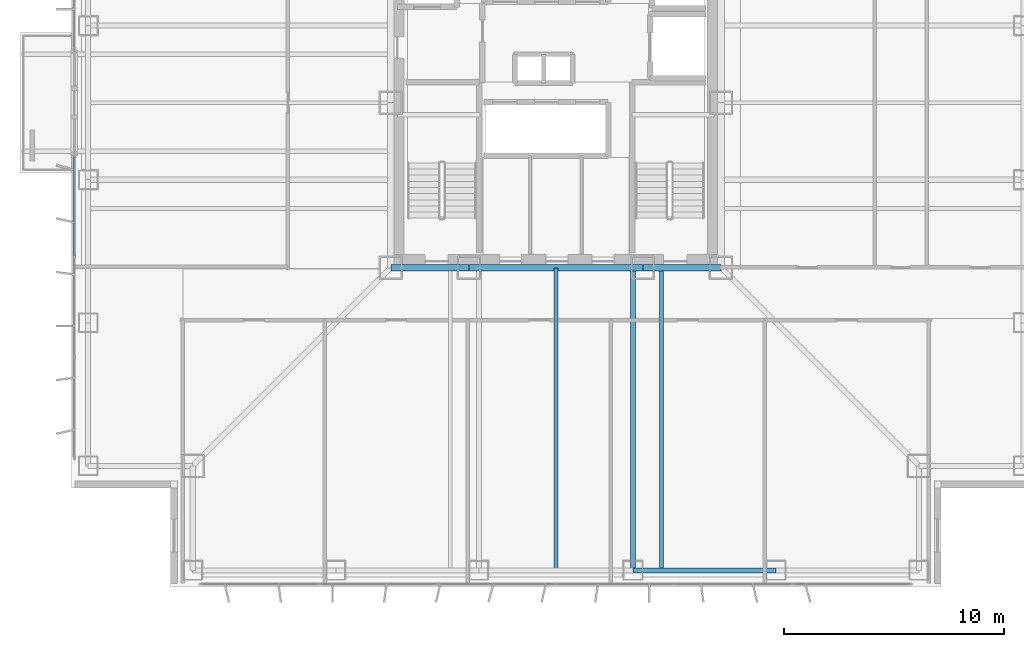
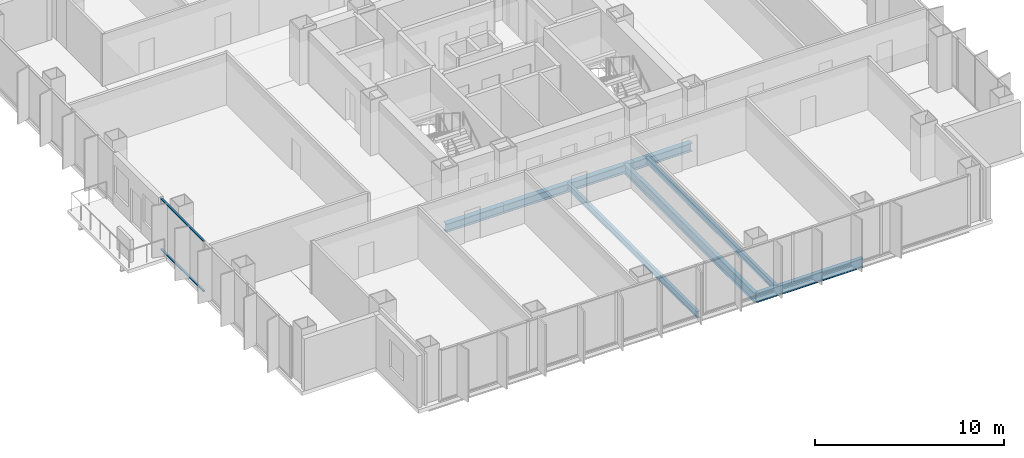
# One storey, part 3 of 15: 7 beams, 2 members, 1 element without a shape of its own.
"""IFC4 building model written with IfcOpenShell, lengths in metres."""

from ifc_helpers import new_model, si_unit, direction, frame, origin, origin_2d, place, context, subcontext, project, spatial, rectangle, i_section, extrude, material, layer, layer_set, material_profile, profile_set, type_object, element, aggregate, save


model = new_model("IFC4")

# Units and contexts
model_context = context("Model", 3, precision=1e-05, world=origin(), true_north=direction((0.0, 1.0)))
body_context = subcontext(model_context, "Body", "Model", "MODEL_VIEW")
ifc_project = project(units=[si_unit("LENGTHUNIT", "METRE"), si_unit("AREAUNIT", "SQUARE_METRE"), si_unit("VOLUMEUNIT", "CUBIC_METRE"), si_unit("PLANEANGLEUNIT", "RADIAN"), si_unit("MASSUNIT", "GRAM", prefix="KILO")], contexts=[model_context])

# Site, building, storey
site_placement = place(None, origin())
site = spatial("IfcSite", under=ifc_project, at=site_placement, CompositionType="ELEMENT")
building_placement = place(site_placement, origin())
building = spatial("IfcBuilding", under=site, at=building_placement, Name="Trevonay Congress Spire", CompositionType="ELEMENT")
storey_placement = place(building_placement, frame((0.0, 0.0, 115.60009765625)))
storey = spatial("IfcBuildingStorey", under=building, at=storey_placement, Name="L29", CompositionType="ELEMENT", Elevation=115.60009765625)

# Beams
ifc_material_1 = material(Name="Steel ASTM A572 Grade 50", Category="steel")
ifc_material_profile_1 = material_profile(ifc_material_1, i_section(OverallWidth=0.31201171875, OverallDepth=0.54296875, WebThickness=0.0126953125, FlangeThickness=0.020263671875, FilletRadius=0.014892578125, at=origin_2d()), Name="W530x150")
ifc_profile_set_1 = profile_set([ifc_material_profile_1], Name="Steel ASTM A572 Grade 50")
beam_type_1 = type_object("IfcBeamType", Name="BM-GIRD-W530X150", PredefinedType="BEAM", material=ifc_profile_set_1)
beam_1_placement = place(storey_placement, frame((-7.5, -7.5, -0.51171875), z_axis=(1.0, 0.0, 0.0), x_axis=(0.0, 1.0, 0.0)))
element("IfcBeam", 1, at=beam_1_placement, inside=storey, type_object=beam_type_1, Name="L29 structural beam BM-L29-CR-S1", PredefinedType="BEAM", context=body_context, shape_type="SweptSolid", body=[
    extrude(i_section(OverallWidth=0.31201171875, OverallDepth=0.54296875, WebThickness=0.0126953125, FlangeThickness=0.020263671875, FilletRadius=0.014892578125, at=origin_2d()), origin(), (0.0, 0.0, 1.0), 3.550048828125),
])
beam_2_placement = place(storey_placement, frame((-3.949951171875, -7.5, -0.51171875), z_axis=(1.0, 0.0, 0.0), x_axis=(0.0, 1.0, 0.0)))
element("IfcBeam", 2, at=beam_2_placement, inside=storey, type_object=beam_type_1, Name="L29 structural beam BM-L29-CR-S2", PredefinedType="BEAM", context=body_context, shape_type="SweptSolid", body=[
    extrude(i_section(OverallWidth=0.31201171875, OverallDepth=0.54296875, WebThickness=0.0126953125, FlangeThickness=0.020263671875, FilletRadius=0.014892578125, at=origin_2d()), origin(), (0.0, 0.0, 1.0), 7.89990234375),
])
beam_3_placement = place(storey_placement, frame((3.949951171875, -7.5, -0.51171875), z_axis=(1.0, 0.0, 0.0), x_axis=(0.0, 1.0, 0.0)))
element("IfcBeam", 3, at=beam_3_placement, inside=storey, type_object=beam_type_1, Name="L29 structural beam BM-L29-CR-S3", PredefinedType="BEAM", context=body_context, shape_type="SweptSolid", body=[
    extrude(i_section(OverallWidth=0.31201171875, OverallDepth=0.54296875, WebThickness=0.0126953125, FlangeThickness=0.020263671875, FilletRadius=0.014892578125, at=origin_2d()), origin(), (0.0, 0.0, 1.0), 3.550048828125),
])
ifc_material_profile_2 = material_profile(ifc_material_1, i_section(OverallWidth=0.22998046875, OverallDepth=0.616943359375, WebThickness=0.01318359375, FlangeThickness=0.022216796875, FilletRadius=0.01611328125, at=origin_2d()), Name="W610x140")
ifc_profile_set_2 = profile_set([ifc_material_profile_2], Name="Steel ASTM A572 Grade 50")
beam_type_2 = type_object("IfcBeamType", Name="BM-GIRD-W610X140", PredefinedType="BEAM", material=ifc_profile_set_2)
beam_4_placement = place(storey_placement, frame((3.5, -7.5, -0.548583984375), z_axis=(0.0, -1.0, 0.0), x_axis=(1.0, 0.0, 0.0)))
element("IfcBeam", 4, at=beam_4_placement, inside=storey, type_object=beam_type_2, Name="L29 structural beam BM-L29-GS-P", PredefinedType="BEAM", context=body_context, shape_type="SweptSolid", body=[
    extrude(i_section(OverallWidth=0.22998046875, OverallDepth=0.616943359375, WebThickness=0.01318359375, FlangeThickness=0.022216796875, FilletRadius=0.01611328125, at=origin_2d()), origin(), (0.0, 0.0, 1.0), 13.75),
])
ifc_material_profile_3 = material_profile(ifc_material_1, i_section(OverallWidth=0.22802734375, OverallDepth=0.60791015625, WebThickness=0.01123046875, FlangeThickness=0.017333984375, FilletRadius=0.01611328125, at=origin_2d()), Name="W610x113")
ifc_profile_set_3 = profile_set([ifc_material_profile_3], Name="Steel ASTM A572 Grade 50")
beam_type_3 = type_object("IfcBeamType", Name="BM-RING-W610X113", PredefinedType="BEAM", material=ifc_profile_set_3)
beam_5_placement = place(storey_placement, frame((3.5, -21.25, -0.544189453125), z_axis=(1.0, 0.0, 0.0), x_axis=(0.0, 1.0, 0.0)))
element("IfcBeam", 5, at=beam_5_placement, inside=storey, type_object=beam_type_3, Name="L29 structural beam BM-L29-PS4", PredefinedType="BEAM", context=body_context, shape_type="SweptSolid", body=[
    extrude(i_section(OverallWidth=0.22802734375, OverallDepth=0.60791015625, WebThickness=0.01123046875, FlangeThickness=0.017333984375, FilletRadius=0.01611328125, at=origin_2d()), origin(), (0.0, 0.0, 1.0), 6.5),
])

# Curtain wall, members
ifc_material_2 = material(Name="Pale Anodised Aluminium EN AW-6063-T6", Category="aluminium")
ifc_layer = layer(ifc_material_2, 0.175048828125, Name="Pale Anodised Aluminium EN AW-6063-T6")
ifc_layer_set = layer_set([ifc_layer], Name="Pale Anodised Aluminium EN AW-6063-T6")
curtain_wall_type = type_object("IfcCurtainWallType", Name="CW-SYS03-CONGRESS-PALE-METAL", PredefinedType="NOTDEFINED", material=ifc_layer_set)
curtain_wall_placement = place(storey_placement, origin())
curtain_wall = element("IfcCurtainWall", 6, at=curtain_wall_placement, inside=storey, type_object=curtain_wall_type, Name="L29 WA unitised curtain wall", PredefinedType="NOTDEFINED")
ifc_material_profile_4 = material_profile(ifc_material_2, rectangle(XDim=0.1201171875, YDim=0.06005859375, at=origin_2d()), Name="CW-TRANSOM-120-ALUMINIUM")
ifc_profile_set_4 = profile_set([ifc_material_profile_4], Name="Pale Anodised Aluminium EN AW-6063-T6")
member_type = type_object("IfcMemberType", Name="CW-TRANSOM-120-ALUMINIUM", PredefinedType="USERDEFINED", material=ifc_profile_set_4)
member_1_placement = place(storey_placement, frame((-21.8798828125, -6.953369140625, 0.059814453125), z_axis=(0.0, 1.0, 0.0), x_axis=(-1.0, 0.0, 0.0)))
member_1 = element("IfcMember", 7, at=member_1_placement, type_object=member_type, Name="CW03 transom 3.1", ObjectType="TRANSOM", PredefinedType="USERDEFINED", context=body_context, shape_type="SweptSolid", body=[
    extrude(rectangle(XDim=0.1201171875, YDim=0.06005859375, at=origin_2d()), origin(), (0.0, 0.0, 1.0), 4.493408203125),
])
member_2_placement = place(storey_placement, frame((-21.8798828125, -6.953369140625, 3.2998046875), z_axis=(0.0, 1.0, 0.0), x_axis=(-1.0, 0.0, 0.0)))
member_2 = element("IfcMember", 8, at=member_2_placement, type_object=member_type, Name="CW03 transom 3.2", ObjectType="TRANSOM", PredefinedType="USERDEFINED", context=body_context, shape_type="SweptSolid", body=[
    extrude(rectangle(XDim=0.1201171875, YDim=0.06005859375, at=origin_2d()), origin(), (0.0, 0.0, 1.0), 4.493408203125),
])
aggregate(curtain_wall, [member_1, member_2])

# Beams
ifc_material_profile_5 = material_profile(ifc_material_1, i_section(OverallWidth=0.177978515625, OverallDepth=0.406982421875, WebThickness=0.0078125, FlangeThickness=0.0126953125, FilletRadius=0.012939453125, at=origin_2d()), Name="W410x60")
ifc_profile_set_5 = profile_set([ifc_material_profile_5], Name="Steel ASTM A572 Grade 50")
beam_type_4 = type_object("IfcBeamType", Name="JS-COMP-W410X60", PredefinedType="JOIST", material=ifc_profile_set_5)
for number, where, z_axis, x_axis, name in (
    (9, (0.0, -21.25, -0.443603515625), (0.0, 1.0, 0.0), (-1.0, 0.0, 0.0), "L29 structural beam JS-L29-NS-S2"),
    (10, (4.800048828125, -21.25, -0.443603515625), (0.0, 1.0, 0.0), (-1.0, 0.0, 0.0), "L29 structural beam JS-L29-NS-S3"),
):
    element("IfcBeam", number, at=place(storey_placement, frame(where, z_axis=z_axis, x_axis=x_axis)), inside=storey, type_object=beam_type_4, Name=name, PredefinedType="JOIST", context=body_context, shape_type="SweptSolid", body=[
        extrude(i_section(OverallWidth=0.177978515625, OverallDepth=0.406982421875, WebThickness=0.0078125, FlangeThickness=0.0126953125, FilletRadius=0.012939453125, at=origin_2d()), origin(), (0.0, 0.0, 1.0), 13.75),
    ])

save(model, "model.ifc")
